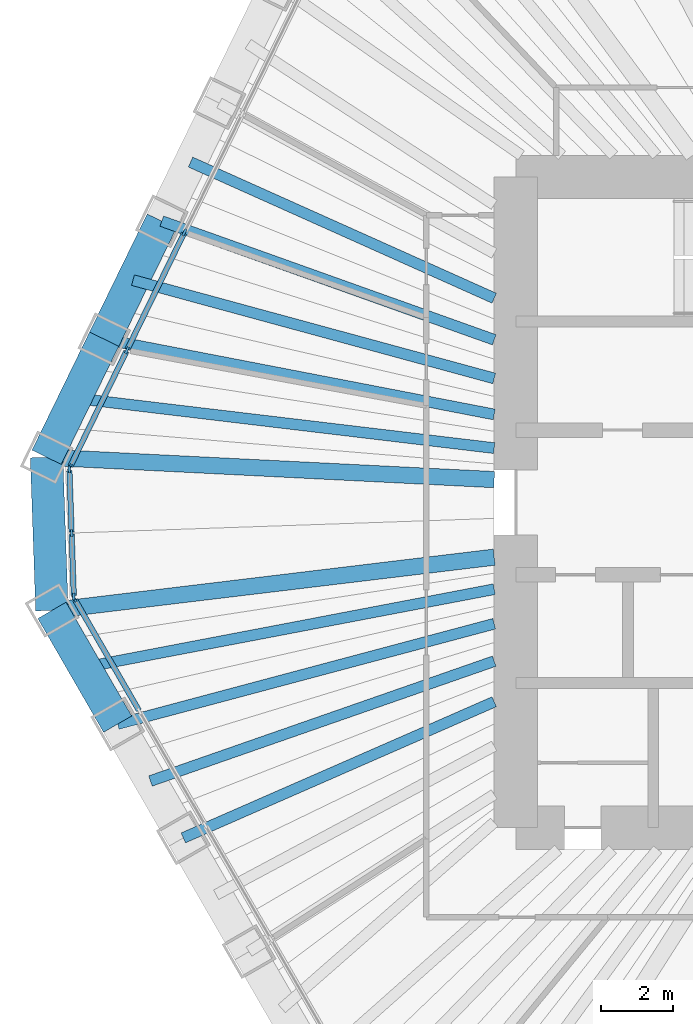
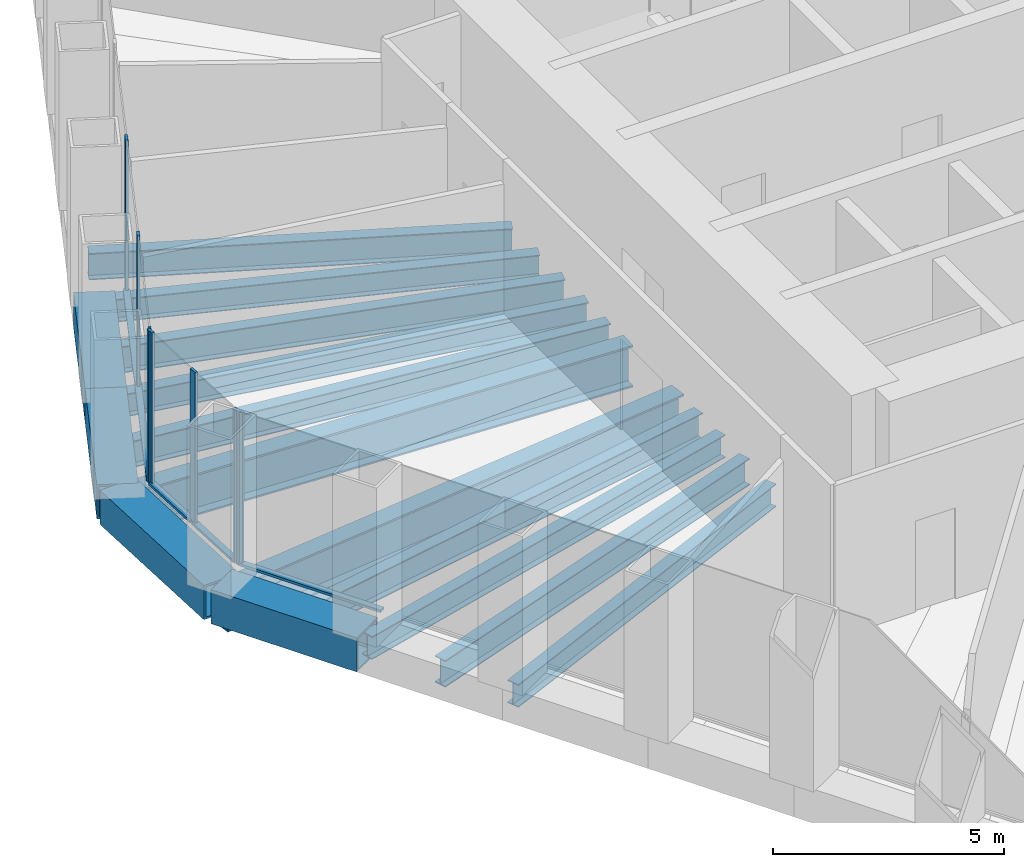
# One storey, part 3 of 13: 15 beams, 12 members, 3 elements without a shape of their own.
"""IFC4 building model written with IfcOpenShell, lengths in metres."""

from ifc_helpers import new_model, si_unit, direction, frame, origin, origin_2d, place, context, subcontext, project, spatial, rectangle, hollow_rectangle, i_section, extrude, material, material_profile, profile_set, type_object, element, aggregate, save


model = new_model("IFC4")

# Units and contexts
model_context = context("Model", 3, precision=1e-05, world=origin(), true_north=direction((0.0, 1.0)))
body_context = subcontext(model_context, "Body", "Model", "MODEL_VIEW")
ifc_project = project(units=[si_unit("LENGTHUNIT", "METRE"), si_unit("AREAUNIT", "SQUARE_METRE"), si_unit("VOLUMEUNIT", "CUBIC_METRE"), si_unit("PLANEANGLEUNIT", "RADIAN"), si_unit("MASSUNIT", "GRAM", prefix="KILO")], contexts=[model_context])

# Site, building, storey
site_placement = place(None, origin())
site = spatial("IfcSite", under=ifc_project, at=site_placement, CompositionType="ELEMENT")
building_placement = place(site_placement, origin())
building = spatial("IfcBuilding", under=site, at=building_placement, Name="Qingtian Harvest Tower", CompositionType="ELEMENT")
storey_placement = place(building_placement, frame((0.0, 0.0, 188.800048828125)))
storey = spatial("IfcBuildingStorey", under=building, at=storey_placement, Name="L40", CompositionType="ELEMENT", Elevation=188.800048828125)

# Beams
ifc_material_1 = material(Name="Steel SM570MC", Category="steel")
ifc_material_profile_1 = material_profile(ifc_material_1, i_section(OverallWidth=0.449951171875, OverallDepth=1.10009765625, WebThickness=0.02197265625, FlangeThickness=0.044921875, at=origin_2d()), Name="H1100x450x22x45")
ifc_profile_set_1 = profile_set([ifc_material_profile_1], Name="Steel SM570MC")
beam_type_1 = type_object("IfcBeamType", Name="Corner floor beam FB8 H1100x450x22x45", PredefinedType="BEAM", material=ifc_profile_set_1)
beam_1_placement = place(storey_placement, frame((-24.833251953125, -2.987548828125, -0.719970703125), z_axis=(0.992841259631, 0.119441337798, 0.0), x_axis=(-0.119441337798, 0.992841259631, 0.0)))
element("IfcBeam", 1, at=beam_1_placement, inside=storey, type_object=beam_type_1, Name="Floor beam FB8 SW6", PredefinedType="BEAM", context=body_context, shape_type="SweptSolid", body=[
    extrude(i_section(OverallWidth=0.449951171875, OverallDepth=1.10009765625, WebThickness=0.02197265625, FlangeThickness=0.044921875, at=origin_2d()), origin(), (0.0, 0.0, 1.0), 12.3212890625),
])
beam_2_placement = place(storey_placement, frame((-24.981201171875, 1.248046875, -0.719970703125), z_axis=(0.998753959075, -0.049905202459, 0.0), x_axis=(0.049905202459, 0.998753959075, 0.0)))
element("IfcBeam", 2, at=beam_2_placement, inside=storey, type_object=beam_type_1, Name="Floor beam FB8 NW0", PredefinedType="BEAM", context=body_context, shape_type="SweptSolid", body=[
    extrude(i_section(OverallWidth=0.449951171875, OverallDepth=1.10009765625, WebThickness=0.02197265625, FlangeThickness=0.044921875, at=origin_2d()), origin(), (0.0, 0.0, 1.0), 12.396484375),
])
ifc_material_2 = material(Name="Steel SN490B", Category="steel")
ifc_material_profile_2 = material_profile(ifc_material_2, i_section(OverallWidth=0.300048828125, OverallDepth=0.60009765625, WebThickness=0.011962890625, FlangeThickness=0.02001953125, at=origin_2d()), Name="H600x300x12x20")
ifc_profile_set_2 = profile_set([ifc_material_profile_2], Name="Steel SN490B")
beam_type_2 = type_object("IfcBeamType", Name="Floor beam FB3 H600x300x12x20", PredefinedType="BEAM", material=ifc_profile_set_2)
beam_3_placement = place(storey_placement, frame((-21.19970703125, -9.281005859375, -0.469970703125), z_axis=(0.916057031544, 0.401048020765, 0.0), x_axis=(-0.401048020765, 0.916057031544, 0.0)))
element("IfcBeam", 3, at=beam_3_placement, inside=storey, type_object=beam_type_2, Name="Floor beam FB3 SW4", PredefinedType="BEAM", context=body_context, shape_type="SweptSolid", body=[
    extrude(i_section(OverallWidth=0.300048828125, OverallDepth=0.60009765625, WebThickness=0.011962890625, FlangeThickness=0.02001953125, at=origin_2d()), origin(), (0.0, 0.0, 1.0), 9.3876953125),
])
beam_4_placement = place(storey_placement, frame((-23.016357421875, -6.13427734375, -0.469970703125), z_axis=(0.966270640629, 0.257528734433, 0.0), x_axis=(-0.257528734433, 0.966270640629, 0.0)))
element("IfcBeam", 4, at=beam_4_placement, inside=storey, type_object=beam_type_2, Name="Floor beam FB3 SW5", PredefinedType="BEAM", context=body_context, shape_type="SweptSolid", body=[
    extrude(i_section(OverallWidth=0.300048828125, OverallDepth=0.60009765625, WebThickness=0.011962890625, FlangeThickness=0.02001953125, at=origin_2d()), origin(), (0.0, 0.0, 1.0), 10.77978515625),
])
beam_5_placement = place(storey_placement, frame((-23.388427734375, 4.513916015625, -0.469970703125), z_axis=(0.981878004162, -0.189514075845, 0.0), x_axis=(0.189514075845, 0.981878004162, 0.0)))
element("IfcBeam", 5, at=beam_5_placement, inside=storey, type_object=beam_type_2, Name="Floor beam FB3 NW1", PredefinedType="BEAM", context=body_context, shape_type="SweptSolid", body=[
    extrude(i_section(OverallWidth=0.300048828125, OverallDepth=0.60009765625, WebThickness=0.011962890625, FlangeThickness=0.02001953125, at=origin_2d()), origin(), (0.0, 0.0, 1.0), 10.987548828125),
])
beam_6_placement = place(storey_placement, frame((-21.79541015625, 7.779541015625, -0.469970703125), z_axis=(0.941800733255, -0.336171650857, 0.0), x_axis=(0.336171650857, 0.941800733255, 0.0)))
element("IfcBeam", 6, at=beam_6_placement, inside=storey, type_object=beam_type_2, Name="Floor beam FB3 NW2", PredefinedType="BEAM", context=body_context, shape_type="SweptSolid", body=[
    extrude(i_section(OverallWidth=0.300048828125, OverallDepth=0.60009765625, WebThickness=0.011962890625, FlangeThickness=0.02001953125, at=origin_2d()), origin(), (0.0, 0.0, 1.0), 9.763427734375),
])
ifc_material_3 = material(Name="Steel SN490B", Category="steel")
ifc_material_profile_3 = material_profile(ifc_material_3, i_section(OverallWidth=0.300048828125, OverallDepth=0.699951171875, WebThickness=0.012939453125, FlangeThickness=0.02392578125, at=origin_2d()), Name="H700x300x13x24")
ifc_profile_set_3 = profile_set([ifc_material_profile_3], Name="Steel SN490B")
beam_type_3 = type_object("IfcBeamType", Name="Floor joist J2 H700x300x13x24", PredefinedType="JOIST", material=ifc_profile_set_3)
beam_7_placement = place(storey_placement, frame((-22.108154296875, -7.707763671875, -0.52001953125), z_axis=(0.944256456951, 0.329210788868, 0.0), x_axis=(-0.329210788868, 0.944256456951, 0.0)))
element("IfcBeam", 7, at=beam_7_placement, inside=storey, type_object=beam_type_3, Name="Floor joist J2 SW4", PredefinedType="JOIST", context=body_context, shape_type="SweptSolid", body=[
    extrude(i_section(OverallWidth=0.300048828125, OverallDepth=0.699951171875, WebThickness=0.012939453125, FlangeThickness=0.02392578125, at=origin_2d()), origin(), (0.0, 0.0, 1.0), 10.0693359375),
])
beam_8_placement = place(storey_placement, frame((-23.9248046875, -4.56103515625, -0.52001953125), z_axis=(0.982309082743, 0.187266830912, 0.0), x_axis=(-0.187266830912, 0.982309082743, 0.0)))
element("IfcBeam", 8, at=beam_8_placement, inside=storey, type_object=beam_type_3, Name="Floor joist J2 SW5", PredefinedType="JOIST", context=body_context, shape_type="SweptSolid", body=[
    extrude(i_section(OverallWidth=0.300048828125, OverallDepth=0.699951171875, WebThickness=0.012939453125, FlangeThickness=0.02392578125, at=origin_2d()), origin(), (0.0, 0.0, 1.0), 11.528564453125),
])
beam_9_placement = place(storey_placement, frame((-24.184814453125, 2.880859375, -0.52001953125), z_axis=(0.992980727423, -0.11827626544, 0.0), x_axis=(0.11827626544, 0.992980727423, 0.0)))
element("IfcBeam", 9, at=beam_9_placement, inside=storey, type_object=beam_type_3, Name="Floor joist J2 NW0", PredefinedType="JOIST", context=body_context, shape_type="SweptSolid", body=[
    extrude(i_section(OverallWidth=0.300048828125, OverallDepth=0.699951171875, WebThickness=0.012939453125, FlangeThickness=0.02392578125, at=origin_2d()), origin(), (0.0, 0.0, 1.0), 11.66650390625),
])
beam_10_placement = place(storey_placement, frame((-22.591796875, 6.146728515625, -0.52001953125), z_axis=(0.964923062728, -0.26253282274, 0.0), x_axis=(0.26253282274, 0.964923062728, 0.0)))
element("IfcBeam", 10, at=beam_10_placement, inside=storey, type_object=beam_type_3, Name="Floor joist J2 NW1", PredefinedType="JOIST", context=body_context, shape_type="SweptSolid", body=[
    extrude(i_section(OverallWidth=0.300048828125, OverallDepth=0.699951171875, WebThickness=0.012939453125, FlangeThickness=0.02392578125, at=origin_2d()), origin(), (0.0, 0.0, 1.0), 10.35498046875),
])
beam_11_placement = place(storey_placement, frame((-20.9990234375, 9.41259765625, -0.52001953125), z_axis=(0.912515128421, -0.409042956671, 0.0), x_axis=(0.409042956671, 0.912515128421, 0.0)))
element("IfcBeam", 11, at=beam_11_placement, inside=storey, type_object=beam_type_3, Name="Floor joist J2 NW2", PredefinedType="JOIST", context=body_context, shape_type="SweptSolid", body=[
    extrude(i_section(OverallWidth=0.300048828125, OverallDepth=0.699951171875, WebThickness=0.012939453125, FlangeThickness=0.02392578125, at=origin_2d()), origin(), (0.0, 0.0, 1.0), 9.2041015625),
])

# Curtain wall, member
ifc_material_4 = material(Name="Bronze-anodised aluminium curtain wall", Category="aluminium")
curtain_wall_type = type_object("IfcCurtainWallType", Name="Curtain wall CW4 office", PredefinedType="USERDEFINED", material=ifc_material_4)
curtain_wall_1_placement = place(storey_placement, origin())
curtain_wall_1 = element("IfcCurtainWall", 12, at=curtain_wall_1_placement, inside=storey, type_object=curtain_wall_type, Name="Curtain wall CW4 L40 SW0-5", ObjectType="RECESSED CURTAIN WALL", PredefinedType="USERDEFINED")
ifc_material_5 = material(Name="Bronze-anodised aluminium mullion", Category="aluminium")
ifc_material_profile_4 = material_profile(ifc_material_5, rectangle(XDim=0.06494140625, YDim=0.199951171875, at=origin_2d()), Name="AL 65x200")
ifc_profile_set_4 = profile_set([ifc_material_profile_4], Name="Bronze-anodised aluminium mullion")
member_type_1 = type_object("IfcMemberType", Name="Mullion CWM 65x200", PredefinedType="MULLION", material=ifc_profile_set_4)
member_1_placement = place(storey_placement, frame((-24.210693359375, -2.665771484375, 0.0), z_axis=(0.0, 0.0, 1.0), x_axis=(-0.866025403784, -0.5, 0.0)))
member_1 = element("IfcMember", 13, at=member_1_placement, type_object=member_type_1, Name="CW4 mullion 7", PredefinedType="MULLION", context=body_context, shape_type="SweptSolid", body=[
    extrude(rectangle(XDim=0.06494140625, YDim=0.199951171875, at=origin_2d()), origin(), (0.0, 0.0, 1.0), 4.030029296875),
])

# Curtain wall, members
curtain_wall_2_placement = place(storey_placement, origin())
curtain_wall_2 = element("IfcCurtainWall", 14, at=curtain_wall_2_placement, inside=storey, type_object=curtain_wall_type, Name="Curtain wall CW4 L40 SWC", ObjectType="RECESSED CURTAIN WALL", PredefinedType="USERDEFINED")
member_2_placement = place(storey_placement, frame((-24.228271484375, -2.60498046875, 0.0), z_axis=(0.0, 0.0, 1.0), x_axis=(-0.999390827019, -0.034899496703, 0.0)))
member_2 = element("IfcMember", 15, at=member_2_placement, type_object=member_type_1, Name="CW4 mullion 1", PredefinedType="MULLION", context=body_context, shape_type="SweptSolid", body=[
    extrude(rectangle(XDim=0.06494140625, YDim=0.199951171875, at=origin_2d()), origin(), (0.0, 0.0, 1.0), 4.030029296875),
])
member_3_placement = place(storey_placement, frame((-24.28955078125, -0.84814453125, 0.0), z_axis=(0.0, 0.0, 1.0), x_axis=(-0.999390827019, -0.034899496703, 0.0)))
member_3 = element("IfcMember", 16, at=member_3_placement, type_object=member_type_1, Name="CW4 mullion 2", PredefinedType="MULLION", context=body_context, shape_type="SweptSolid", body=[
    extrude(rectangle(XDim=0.06494140625, YDim=0.199951171875, at=origin_2d()), origin(), (0.0, 0.0, 1.0), 4.030029296875),
])
member_4_placement = place(storey_placement, frame((-24.350830078125, 0.90869140625, 0.0), z_axis=(0.0, 0.0, 1.0), x_axis=(-0.999390827019, -0.034899496703, 0.0)))
member_4 = element("IfcMember", 17, at=member_4_placement, type_object=member_type_1, Name="CW4 mullion 3", PredefinedType="MULLION", context=body_context, shape_type="SweptSolid", body=[
    extrude(rectangle(XDim=0.06494140625, YDim=0.199951171875, at=origin_2d()), origin(), (0.0, 0.0, 1.0), 4.030029296875),
])

curtain_wall_3_placement = place(storey_placement, origin())
curtain_wall_3 = element("IfcCurtainWall", 18, at=curtain_wall_3_placement, inside=storey, type_object=curtain_wall_type, Name="Curtain wall CW4 L40 NW0-5", ObjectType="RECESSED CURTAIN WALL", PredefinedType="USERDEFINED")
member_5_placement = place(storey_placement, frame((-24.337646484375, 0.970458984375, 0.0), z_axis=(0.0, 0.0, 1.0), x_axis=(-0.898794046299, 0.438371146789, 0.0)))
member_5 = element("IfcMember", 19, at=member_5_placement, type_object=member_type_1, Name="CW4 mullion 1", PredefinedType="MULLION", context=body_context, shape_type="SweptSolid", body=[
    extrude(rectangle(XDim=0.06494140625, YDim=0.199951171875, at=origin_2d()), origin(), (0.0, 0.0, 1.0), 4.030029296875),
])
member_6_placement = place(storey_placement, frame((-22.759033203125, 4.20703125, 0.0), z_axis=(0.0, 0.0, 1.0), x_axis=(-0.898794046299, 0.438371146789, 0.0)))
member_6 = element("IfcMember", 20, at=member_6_placement, type_object=member_type_1, Name="CW4 mullion 2", PredefinedType="MULLION", context=body_context, shape_type="SweptSolid", body=[
    extrude(rectangle(XDim=0.06494140625, YDim=0.199951171875, at=origin_2d()), origin(), (0.0, 0.0, 1.0), 4.030029296875),
])
member_7_placement = place(storey_placement, frame((-21.166259765625, 7.47265625, 0.0), z_axis=(0.0, 0.0, 1.0), x_axis=(-0.898794046299, 0.438371146789, 0.0)))
member_7 = element("IfcMember", 21, at=member_7_placement, type_object=member_type_1, Name="CW4 mullion 3", PredefinedType="MULLION", context=body_context, shape_type="SweptSolid", body=[
    extrude(rectangle(XDim=0.06494140625, YDim=0.199951171875, at=origin_2d()), origin(), (0.0, 0.0, 1.0), 4.030029296875),
])

# Beams
ifc_material_6 = material(Name="Steel SM570MC", Category="steel")
ifc_material_profile_5 = material_profile(ifc_material_6, hollow_rectangle(XDim=0.89990234375, YDim=0.89990234375, WallThickness=0.050048828125, at=origin_2d()), Name="BOX900x900x50")
ifc_profile_set_5 = profile_set([ifc_material_profile_5], Name="Steel SM570MC")
beam_type_4 = type_object("IfcBeamType", Name="Transition spandrel SB6 BOX900x900x50", PredefinedType="SPANDREL", material=ifc_profile_set_5)
beam_12_placement = place(storey_placement, frame((-23.016357421875, -6.13427734375, -0.449951171875), z_axis=(-0.500026827678, 0.866009914263, 0.0), x_axis=(-0.866009914263, -0.500026827678, 0.0)))
element("IfcBeam", 22, at=beam_12_placement, inside=storey, type_object=beam_type_4, Name="Spandrel SB6 SW5", PredefinedType="SPANDREL", context=body_context, shape_type="SweptSolid", body=[
    extrude(hollow_rectangle(XDim=0.89990234375, YDim=0.89990234375, WallThickness=0.050048828125, at=origin_2d()), origin(), (0.0, 0.0, 1.0), 3.633544921875),
])
beam_13_placement = place(storey_placement, frame((-24.833251953125, -2.987548828125, -0.449951171875), z_axis=(-0.034908677553, 0.999390506375, 0.0), x_axis=(-0.999390506375, -0.034908677553, 0.0)))
element("IfcBeam", 23, at=beam_13_placement, inside=storey, type_object=beam_type_4, Name="Spandrel SB6 SWC", PredefinedType="SPANDREL", context=body_context, shape_type="SweptSolid", body=[
    extrude(hollow_rectangle(XDim=0.89990234375, YDim=0.89990234375, WallThickness=0.050048828125, at=origin_2d()), origin(), (0.0, 0.0, 1.0), 4.23828125),
])
for number, where, z_axis, x_axis, name in (
    (24, (-24.981201171875, 1.248046875, -0.449951171875), (0.438349498419, 0.898804604592, 0.0), (-0.898804604592, 0.438349498419, 0.0), "Spandrel SB6 NW0"),
    (25, (-23.388427734375, 4.513916015625, -0.449951171875), (0.438430251153, 0.898765216769, 0.0), (-0.898765216769, 0.438430251153, 0.0), "Spandrel SB6 NW1"),
):
    element("IfcBeam", number, at=place(storey_placement, frame(where, z_axis=z_axis, x_axis=x_axis)), inside=storey, type_object=beam_type_4, Name=name, PredefinedType="SPANDREL", context=body_context, shape_type="SweptSolid", body=[
        extrude(hollow_rectangle(XDim=0.89990234375, YDim=0.89990234375, WallThickness=0.050048828125, at=origin_2d()), origin(), (0.0, 0.0, 1.0), 3.633544921875),
    ])

# Member
ifc_material_7 = material(Name="Bronze-anodised aluminium transom", Category="aluminium")
ifc_material_profile_6 = material_profile(ifc_material_7, rectangle(XDim=0.14990234375, YDim=0.06494140625, at=origin_2d()), Name="AL 65x150")
ifc_profile_set_6 = profile_set([ifc_material_profile_6], Name="Bronze-anodised aluminium transom")
member_type_2 = type_object("IfcMemberType", Name="Transom CWT 65x150", PredefinedType="USERDEFINED", material=ifc_profile_set_6)
member_8_placement = place(storey_placement, frame((-22.426513671875, -5.756103515625, 0.032470703125), z_axis=(-0.500015305566, 0.866016566931, 0.0), x_axis=(-0.866016566931, -0.500015305566, 0.0)))
member_8 = element("IfcMember", 26, at=member_8_placement, type_object=member_type_2, Name="CW4 transom 6.1", ObjectType="TRANSOM", PredefinedType="USERDEFINED", context=body_context, shape_type="SweptSolid", body=[
    extrude(rectangle(XDim=0.14990234375, YDim=0.06494140625, at=origin_2d()), origin(), (0.0, 0.0, 1.0), 3.5361328125),
])

aggregate(curtain_wall_1, [member_1, member_8])

member_9_placement = place(storey_placement, frame((-24.229248046875, -2.572509765625, 0.032470703125), z_axis=(-0.034899362377, 0.99939083171, 0.0), x_axis=(-0.99939083171, -0.034899362377, 0.0)))
member_9 = element("IfcMember", 27, at=member_9_placement, type_object=member_type_2, Name="CW4 transom 1.1", ObjectType="TRANSOM", PredefinedType="USERDEFINED", context=body_context, shape_type="SweptSolid", body=[
    extrude(rectangle(XDim=0.14990234375, YDim=0.06494140625, at=origin_2d()), origin(), (0.0, 0.0, 1.0), 1.69287109375),
])

member_10_placement = place(storey_placement, frame((-24.29052734375, -0.815673828125, 0.032470703125), z_axis=(-0.034899362377, 0.99939083171, 0.0), x_axis=(-0.99939083171, -0.034899362377, 0.0)))
member_10 = element("IfcMember", 28, at=member_10_placement, type_object=member_type_2, Name="CW4 transom 2.1", ObjectType="TRANSOM", PredefinedType="USERDEFINED", context=body_context, shape_type="SweptSolid", body=[
    extrude(rectangle(XDim=0.14990234375, YDim=0.06494140625, at=origin_2d()), origin(), (0.0, 0.0, 1.0), 1.69287109375),
])

aggregate(curtain_wall_2, [member_2, member_3, member_4, member_9, member_10])

member_11_placement = place(storey_placement, frame((-24.323486328125, 0.99951171875, 0.032470703125), z_axis=(0.438354255898, 0.898802284341, 0.0), x_axis=(-0.898802284341, 0.438354255898, 0.0)))
member_11 = element("IfcMember", 29, at=member_11_placement, type_object=member_type_2, Name="CW4 transom 1.1", ObjectType="TRANSOM", PredefinedType="USERDEFINED", context=body_context, shape_type="SweptSolid", body=[
    extrude(rectangle(XDim=0.14990234375, YDim=0.06494140625, at=origin_2d()), origin(), (0.0, 0.0, 1.0), 3.5361328125),
])

member_12_placement = place(storey_placement, frame((-22.744873046875, 4.236083984375, 0.032470703125), z_axis=(0.438325233634, 0.89881643819, 0.0), x_axis=(-0.89881643819, 0.438325233634, 0.0)))
member_12 = element("IfcMember", 30, at=member_12_placement, type_object=member_type_2, Name="CW4 transom 2.1", ObjectType="TRANSOM", PredefinedType="USERDEFINED", context=body_context, shape_type="SweptSolid", body=[
    extrude(rectangle(XDim=0.14990234375, YDim=0.06494140625, at=origin_2d()), origin(), (0.0, 0.0, 1.0), 3.568603515625),
])

aggregate(curtain_wall_3, [member_5, member_6, member_7, member_11, member_12])

save(model, "model.ifc")
